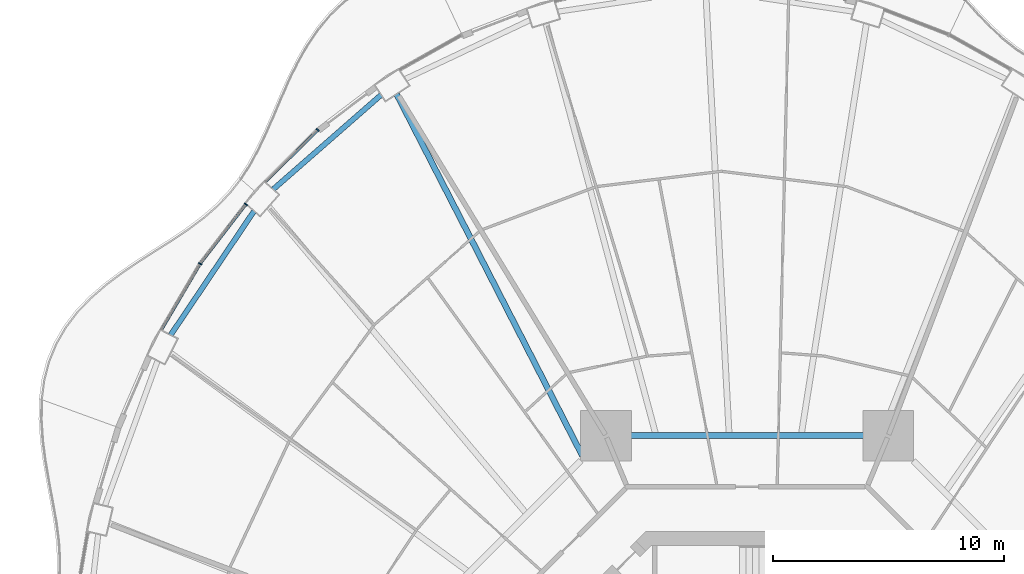
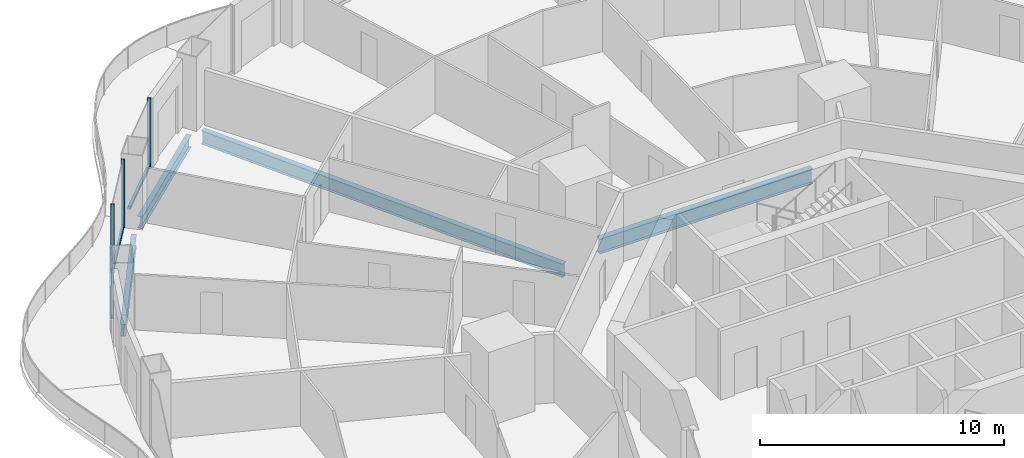
# One storey, part 8 of 22: 6 members, 4 beams, 3 elements without a shape of their own.
"""IFC4 building model written with IfcOpenShell, lengths in metres."""

from ifc_helpers import new_model, si_unit, direction, frame, origin, origin_2d, place, context, subcontext, project, spatial, rectangle, i_section, extrude, material, layer, layer_set, material_profile, profile_set, type_object, element, aggregate, save


model = new_model("IFC4")

# Units and contexts
model_context = context("Model", 3, precision=1e-05, world=origin(), true_north=direction((0.0, 1.0)))
body_context = subcontext(model_context, "Body", "Model", "MODEL_VIEW")
ifc_project = project(units=[si_unit("LENGTHUNIT", "METRE"), si_unit("AREAUNIT", "SQUARE_METRE"), si_unit("VOLUMEUNIT", "CUBIC_METRE"), si_unit("PLANEANGLEUNIT", "RADIAN"), si_unit("MASSUNIT", "GRAM", prefix="KILO")], contexts=[model_context])

# Site, building, storey
site_placement = place(None, origin())
site = spatial("IfcSite", under=ifc_project, at=site_placement, CompositionType="ELEMENT")
building_placement = place(site_placement, origin())
building = spatial("IfcBuilding", under=site, at=building_placement, Name="Nagisa Residences", CompositionType="ELEMENT")
storey_placement = place(building_placement, frame((0.0, 0.0, 95.5)))
storey = spatial("IfcBuildingStorey", under=building, at=storey_placement, Name="L23", CompositionType="ELEMENT", Elevation=95.5)

# Curtain wall, member
ifc_material_1 = material(Name="Concrete-coloured aluminium curtain wall system", Category="concrete")
ifc_layer = layer(ifc_material_1, 0.159912109375)
ifc_layer_set = layer_set([ifc_layer], Name="CW1 CURTAIN WALL")
curtain_wall_type = type_object("IfcCurtainWallType", Name="CW1 CURTAIN WALL", PredefinedType="NOTDEFINED", material=ifc_layer_set)
curtain_wall_1_placement = place(storey_placement, origin())
curtain_wall_1 = element("IfcCurtainWall", 1, at=curtain_wall_1_placement, inside=storey, type_object=curtain_wall_type, Name="cw:CW1:L23:17", PredefinedType="NOTDEFINED")
ifc_material_2 = material(Name="Concrete-coloured aluminium", Category="concrete")
ifc_material_profile_1 = material_profile(ifc_material_2, rectangle(XDim=0.159912109375, YDim=0.06005859375, at=origin_2d()), Name="CW1 MULLION 160x60")
ifc_profile_set_1 = profile_set([ifc_material_profile_1], Name="Concrete-coloured aluminium")
member_type_1 = type_object("IfcMemberType", Name="CW1 MULLION 160x60", PredefinedType="MULLION", material=ifc_profile_set_1)
member_1_placement = place(storey_placement, frame((-18.624267578125, 28.04248046875, 0.0), z_axis=(0.0, 0.0, 1.0), x_axis=(0.706376885714, -0.707835924016, 0.0)))
member_1 = element("IfcMember", 2, at=member_1_placement, type_object=member_type_1, Name="CW1 mullion", PredefinedType="MULLION", context=body_context, shape_type="SweptSolid", body=[
    extrude(rectangle(XDim=0.159912109375, YDim=0.06005859375, at=origin_2d()), origin(), (0.0, 0.0, 1.0), 3.43994140625),
])

curtain_wall_2_placement = place(storey_placement, origin())
curtain_wall_2 = element("IfcCurtainWall", 3, at=curtain_wall_2_placement, inside=storey, type_object=curtain_wall_type, Name="cw:CW1:L23:18", PredefinedType="NOTDEFINED")
member_2_placement = place(storey_placement, frame((-21.735107421875, 24.814697265625, 0.0), z_axis=(0.0, 0.0, 1.0), x_axis=(0.792070340816, -0.610429828235, 0.0)))
member_2 = element("IfcMember", 4, at=member_2_placement, type_object=member_type_1, Name="CW1 mullion", PredefinedType="MULLION", context=body_context, shape_type="SweptSolid", body=[
    extrude(rectangle(XDim=0.159912109375, YDim=0.06005859375, at=origin_2d()), origin(), (0.0, 0.0, 1.0), 3.43994140625),
])

curtain_wall_3_placement = place(storey_placement, origin())
curtain_wall_3 = element("IfcCurtainWall", 5, at=curtain_wall_3_placement, inside=storey, type_object=curtain_wall_type, Name="cw:CW1:L23:19", PredefinedType="NOTDEFINED")
member_3_placement = place(storey_placement, frame((-23.718017578125, 22.236328125, 0.0), z_axis=(0.0, 0.0, 1.0), x_axis=(0.862328898214, -0.506348567002, 0.0)))
member_3 = element("IfcMember", 6, at=member_3_placement, type_object=member_type_1, Name="CW1 mullion", PredefinedType="MULLION", context=body_context, shape_type="SweptSolid", body=[
    extrude(rectangle(XDim=0.159912109375, YDim=0.06005859375, at=origin_2d()), origin(), (0.0, 0.0, 1.0), 3.43994140625),
])

# Member
ifc_material_3 = material(Name="Concrete-coloured aluminium", Category="concrete")
ifc_material_profile_2 = material_profile(ifc_material_3, rectangle(XDim=0.1201171875, YDim=0.14990234375, at=origin_2d()), Name="CW1 TRANSOM 120x150")
ifc_profile_set_2 = profile_set([ifc_material_profile_2], Name="Concrete-coloured aluminium")
member_type_2 = type_object("IfcMemberType", Name="CW1 TRANSOM 120x150", PredefinedType="USERDEFINED", material=ifc_profile_set_2)
member_4_placement = place(storey_placement, frame((-18.60302734375, 28.0634765625, 0.074951171875), z_axis=(-0.707869817944, -0.706342920149, 0.0), x_axis=(0.706342920149, -0.707869817944, 0.0)))
member_4 = element("IfcMember", 7, at=member_4_placement, type_object=member_type_2, Name="CW1 transom", ObjectType="TRANSOM", PredefinedType="USERDEFINED", context=body_context, shape_type="SweptSolid", body=[
    extrude(rectangle(XDim=0.1201171875, YDim=0.14990234375, at=origin_2d()), origin(), (0.0, 0.0, 1.0), 3.19775390625),
])

aggregate(curtain_wall_1, [member_1, member_4])

member_5_placement = place(storey_placement, frame((-21.716796875, 24.83837890625, 0.074951171875), z_axis=(-0.61041202934, -0.792084057684, 0.0), x_axis=(0.792084057684, -0.61041202934, 0.0)))
member_5 = element("IfcMember", 8, at=member_5_placement, type_object=member_type_2, Name="CW1 transom", ObjectType="TRANSOM", PredefinedType="USERDEFINED", context=body_context, shape_type="SweptSolid", body=[
    extrude(rectangle(XDim=0.1201171875, YDim=0.14990234375, at=origin_2d()), origin(), (0.0, 0.0, 1.0), 3.262939453125),
])

aggregate(curtain_wall_2, [member_2, member_5])

member_6_placement = place(storey_placement, frame((-23.702880859375, 22.26220703125, 0.074951171875), z_axis=(-0.506384588027, -0.862307746114, 0.0), x_axis=(0.862307746114, -0.506384588027, 0.0)))
member_6 = element("IfcMember", 9, at=member_6_placement, type_object=member_type_2, Name="CW1 transom", ObjectType="TRANSOM", PredefinedType="USERDEFINED", context=body_context, shape_type="SweptSolid", body=[
    extrude(rectangle(XDim=0.1201171875, YDim=0.14990234375, at=origin_2d()), origin(), (0.0, 0.0, 1.0), 3.32470703125),
])

aggregate(curtain_wall_3, [member_3, member_6])

# Beams
ifc_material_4 = material(Name="Steel ASTM A572 Gr 50", Category="steel")
ifc_material_profile_3 = material_profile(ifc_material_4, i_section(OverallWidth=0.264892578125, OverallDepth=0.7529296875, WebThickness=0.01318359375, FlangeThickness=0.01708984375, at=origin_2d()), Name="W760x147")
ifc_profile_set_3 = profile_set([ifc_material_profile_3], Name="Steel ASTM A572 Gr 50")
beam_type_1 = type_object("IfcBeamType", Name="Inner ring beam W760x147", PredefinedType="BEAM", material=ifc_profile_set_3)
beam_1_placement = place(storey_placement, frame((5.04296875, 14.781982421875, -0.636474609375), z_axis=(-1.0, 0.0, 0.0), x_axis=(0.0, -1.0, 0.0)))
element("IfcBeam", 10, at=beam_1_placement, inside=storey, type_object=beam_type_1, Name="beam:L23:ib2", PredefinedType="BEAM", context=body_context, shape_type="SweptSolid", body=[
    extrude(i_section(OverallWidth=0.264892578125, OverallDepth=0.7529296875, WebThickness=0.01318359375, FlangeThickness=0.01708984375, at=origin_2d()), origin(), (0.0, 0.0, 1.0), 10.0859375),
])
ifc_material_5 = material(Name="Steel ASTM A572 Gr 50", Category="steel")
ifc_material_profile_4 = material_profile(ifc_material_5, i_section(OverallWidth=0.22802734375, OverallDepth=0.60302734375, WebThickness=0.010498046875, FlangeThickness=0.014892578125, at=origin_2d()), Name="W610x101")
ifc_profile_set_4 = profile_set([ifc_material_profile_4], Name="Steel ASTM A572 Gr 50")
beam_type_2 = type_object("IfcBeamType", Name="Perimeter ring beam W610x101", PredefinedType="BEAM", material=ifc_profile_set_4)
beam_2_placement = place(storey_placement, frame((-15.876220703125, 29.55859375, -0.5615234375), z_axis=(-0.752542612886, -0.658543556488, 0.0), x_axis=(0.658543556488, -0.752542612886, 0.0)))
element("IfcBeam", 11, at=beam_2_placement, inside=storey, type_object=beam_type_2, Name="beam:L23:pb09", PredefinedType="BEAM", context=body_context, shape_type="SweptSolid", body=[
    extrude(i_section(OverallWidth=0.22802734375, OverallDepth=0.60302734375, WebThickness=0.010498046875, FlangeThickness=0.014892578125, at=origin_2d()), origin(), (0.0, 0.0, 1.0), 6.212646484375),
])
beam_3_placement = place(storey_placement, frame((-21.384521484375, 24.521484375, -0.5615234375), z_axis=(-0.558221079259, -0.829692248168, 0.0), x_axis=(0.829692248168, -0.558221079259, 0.0)))
element("IfcBeam", 12, at=beam_3_placement, inside=storey, type_object=beam_type_2, Name="beam:L23:pb10", PredefinedType="BEAM", context=body_context, shape_type="SweptSolid", body=[
    extrude(i_section(OverallWidth=0.22802734375, OverallDepth=0.60302734375, WebThickness=0.010498046875, FlangeThickness=0.014892578125, at=origin_2d()), origin(), (0.0, 0.0, 1.0), 6.471435546875),
])
ifc_material_6 = material(Name="Steel ASTM A572 Gr 50", Category="steel")
ifc_material_profile_5 = material_profile(ifc_material_6, i_section(OverallWidth=0.2529296875, OverallDepth=0.677978515625, WebThickness=0.01171875, FlangeThickness=0.016357421875, at=origin_2d()), Name="W690x125")
ifc_profile_set_5 = profile_set([ifc_material_profile_5], Name="Steel ASTM A572 Gr 50")
beam_type_3 = type_object("IfcBeamType", Name="Radial beam W690x125", PredefinedType="BEAM", material=ifc_profile_set_5)
beam_4_placement = place(storey_placement, frame((-15.199951171875, 29.5927734375, -0.59912109375), z_axis=(0.456890609608, -0.889522889448, 0.0), x_axis=(0.889522889448, 0.456890609608, 0.0)))
element("IfcBeam", 13, at=beam_4_placement, inside=storey, type_object=beam_type_3, Name="beam:L23:rb09", PredefinedType="BEAM", context=body_context, shape_type="SweptSolid", body=[
    extrude(i_section(OverallWidth=0.2529296875, OverallDepth=0.677978515625, WebThickness=0.01171875, FlangeThickness=0.016357421875, at=origin_2d()), origin(), (0.0, 0.0, 1.0), 17.622314453125),
])

save(model, "model.ifc")
